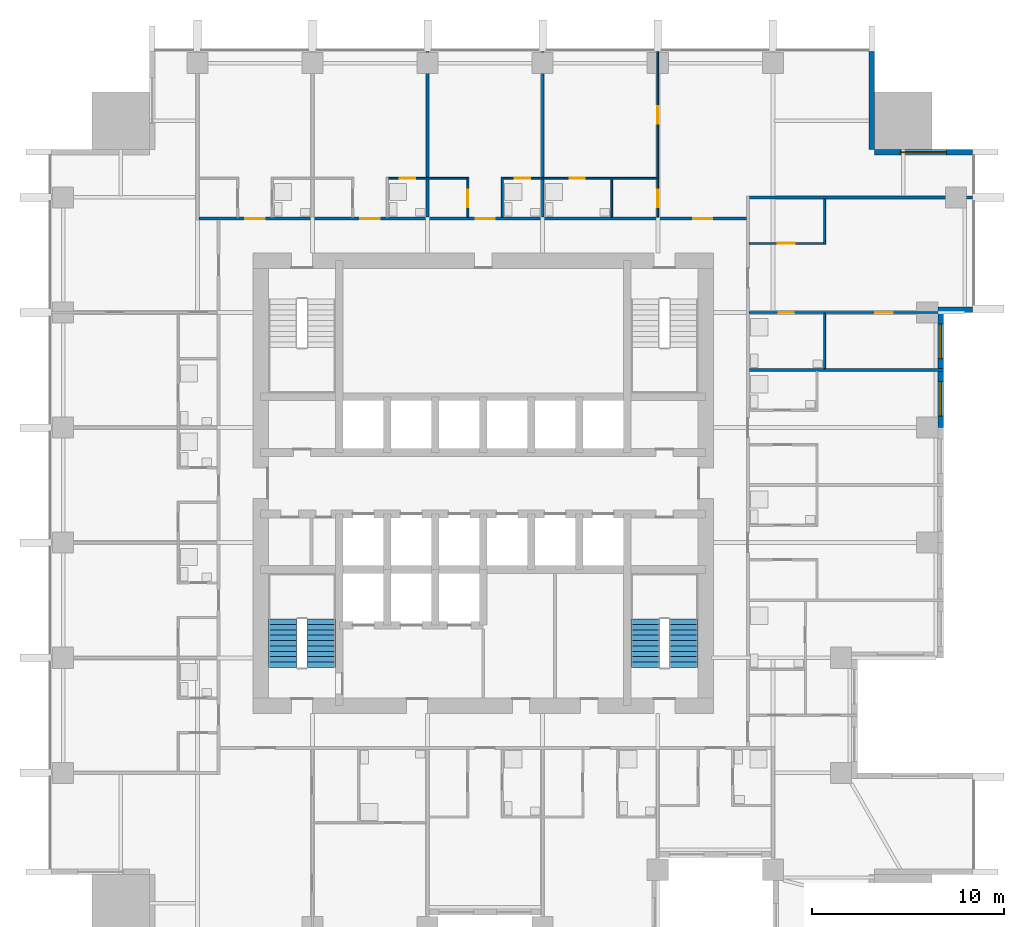
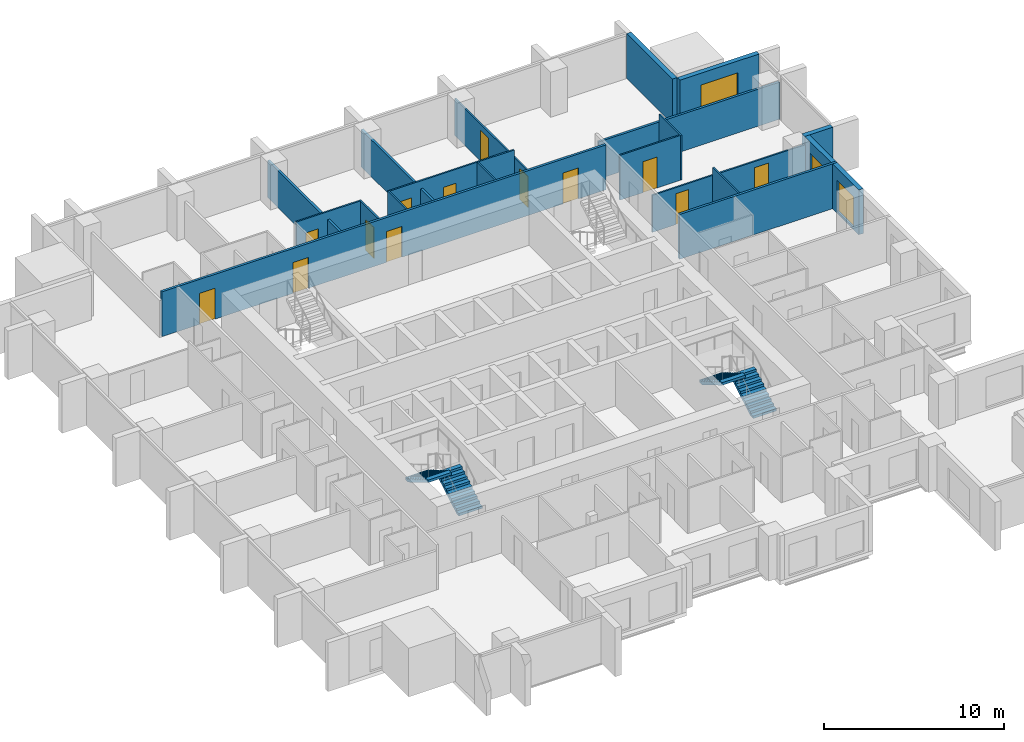
# One storey, part 8 of 11: 19 walls, 13 doors, 4 stair flights, 3 windows, 16 openings, 2 elements without a shape of their own.
"""IFC4 building model written with IfcOpenShell, lengths in metres."""

from ifc_helpers import new_model, si_unit, direction, frame, frame_2d, origin, place, context, subcontext, project, spatial, polyline, rectangle, outline, extrude, material, layer, layer_set, type_object, element, fill, aggregate, save


model = new_model("IFC4")

# Units and contexts
model_context = context("Model", 3, precision=1e-05, world=origin(), true_north=direction((0.0, 1.0)))
body_context = subcontext(model_context, "Body", "Model", "MODEL_VIEW")
ifc_project = project(units=[si_unit("LENGTHUNIT", "METRE"), si_unit("AREAUNIT", "SQUARE_METRE"), si_unit("VOLUMEUNIT", "CUBIC_METRE"), si_unit("PLANEANGLEUNIT", "RADIAN"), si_unit("MASSUNIT", "GRAM", prefix="KILO")], contexts=[model_context])

# Site, building, storey
site_placement = place(None, origin())
site = spatial("IfcSite", under=ifc_project, at=site_placement, CompositionType="ELEMENT")
building_placement = place(site_placement, origin())
building = spatial("IfcBuilding", under=site, at=building_placement, Name="Amberfall Residences", CompositionType="ELEMENT")
storey_placement = place(building_placement, frame((0.0, 0.0, 91.89990234375)))
storey = spatial("IfcBuildingStorey", under=building, at=storey_placement, Name="L24", CompositionType="ELEMENT", Elevation=91.89990234375)

# Wall
ifc_material_1 = material(Name="Pale stone cladding on insulated backing", Category="masonry")
ifc_layer_1 = layer(ifc_material_1, 0.300048828125)
ifc_layer_set_1 = layer_set([ifc_layer_1], Name="Bronze clad wall 300")
wall_type_1 = type_object("IfcWallType", Name="Bronze clad wall 300", PredefinedType="SOLIDWALL", material=ifc_layer_set_1)
wall_1_placement = place(storey_placement, frame((98.199951171875, 54.550048828125, 0.0), z_axis=(0.0, 0.0, 1.0), x_axis=(1.0, 0.0, 0.0)))
element("IfcWall", 1, at=wall_1_placement, inside=storey, type_object=wall_type_1, Name="External wall L24 E", PredefinedType="SOLIDWALL", context=body_context, shape_type="SweptSolid", body=[
    extrude(rectangle(XDim=1.800048828125, YDim=0.300048828125, at=frame_2d((0.89990234375, 0.0))), origin(), (0.0, 0.0, 1.0), 3.050048828125),
])

# Wall, opening, window
wall_2_placement = place(storey_placement, frame((100.0, 62.75, 0.0), z_axis=(0.0, 0.0, 1.0), x_axis=(-1.0, 0.0, 0.0)))
wall_2 = element("IfcWall", 2, at=wall_2_placement, inside=storey, type_object=wall_type_1, Name="External wall L24 NE", PredefinedType="SOLIDWALL", context=body_context, shape_type="SweptSolid", body=[
    extrude(rectangle(XDim=5.10009765625, YDim=0.300048828125, at=frame_2d((2.550048828125, 0.0))), origin(), (0.0, 0.0, 1.0), 3.050048828125),
])
opening_1_placement = place(wall_2_placement, frame((1.35009765625, 0.0, 0.14990234375)))
opening_1 = element("IfcOpeningElement", 3, at=opening_1_placement, cuts=wall_2, Name="Opening WN5", PredefinedType="OPENING", context=body_context, shape_type="SweptSolid", body=[
    extrude(rectangle(XDim=2.39990234375, YDim=2.10009765625, at=frame_2d((1.199951171875, 1.050048828125))), frame((0.0, 0.159912109375, 0.0), z_axis=(0.0, -1.0, 0.0), x_axis=(1.0, 0.0, 0.0)), (0.0, 0.0, 1.0), 0.320068359375),
])
ifc_material_2 = material(Name="Bronze aluminium framed glazing", Category="aluminium")
window_type_1 = type_object("IfcWindowType", Name="Glazed opening 2400 x 2100 bronze", PartitioningType="DOUBLE_PANEL_VERTICAL", PredefinedType="WINDOW", material=ifc_material_2)
window_1_placement = place(opening_1_placement, origin())
window_1 = element("IfcWindow", 4, at=window_1_placement, inside=storey, type_object=window_type_1, Name="Window L24 NE", OverallHeight=2.10009765625, OverallWidth=2.39990234375, PartitioningType="DOUBLE_PANEL_VERTICAL", PredefinedType="WINDOW", context=body_context, shape_type="SweptSolid", body=[
    extrude(rectangle(XDim=2.39990234375, YDim=2.10009765625, at=frame_2d((1.199951171875, 1.050048828125))), frame((0.0, 0.030029296875, 0.0), z_axis=(0.0, -1.0, 0.0), x_axis=(1.0, 0.0, 0.0)), (0.0, 0.0, 1.0), 0.06005859375),
])
fill(opening_1, window_1)

# Wall
wall_3_placement = place(storey_placement, frame((94.75, 62.89990234375, 0.0), z_axis=(0.0, 0.0, 1.0), x_axis=(0.0, 1.0, 0.0)))
element("IfcWall", 5, at=wall_3_placement, inside=storey, type_object=wall_type_1, Name="External wall L24 NE", PredefinedType="SOLIDWALL", context=body_context, shape_type="SweptSolid", body=[
    extrude(rectangle(XDim=5.10009765625, YDim=0.300048828125, at=frame_2d((2.550048828125, 0.0))), origin(), (0.0, 0.0, 1.0), 3.050048828125),
])

# Wall, openings, windows
wall_4_placement = place(storey_placement, frame((98.35009765625, 48.39990234375, 0.0), z_axis=(0.0, 0.0, 1.0), x_axis=(0.0, 1.0, 0.0)))
wall_4 = element("IfcWall", 6, at=wall_4_placement, inside=storey, type_object=wall_type_1, Name="Stone wall L24 E", PredefinedType="SOLIDWALL", context=body_context, shape_type="SweptSolid", body=[
    extrude(rectangle(XDim=6.0, YDim=0.300048828125, at=frame_2d((3.0, 0.0))), origin(), (0.0, 0.0, 1.0), 3.050048828125),
])
opening_2_placement = place(wall_4_placement, frame((0.60009765625, 0.0, 0.14990234375)))
opening_2 = element("IfcOpeningElement", 7, at=opening_2_placement, cuts=wall_4, Name="Opening WN6", PredefinedType="OPENING", context=body_context, shape_type="SweptSolid", body=[
    extrude(rectangle(XDim=1.800048828125, YDim=2.10009765625, at=frame_2d((0.89990234375, 1.050048828125))), frame((0.0, 0.159912109375, 0.0), z_axis=(0.0, -1.0, 0.0), x_axis=(1.0, 0.0, 0.0)), (0.0, 0.0, 1.0), 0.320068359375),
])
opening_3_placement = place(wall_4_placement, frame((3.60009765625, 0.0, 0.14990234375)))
opening_3 = element("IfcOpeningElement", 8, at=opening_3_placement, cuts=wall_4, Name="Opening WN6", PredefinedType="OPENING", context=body_context, shape_type="SweptSolid", body=[
    extrude(rectangle(XDim=1.800048828125, YDim=2.10009765625, at=frame_2d((0.89990234375, 1.050048828125))), frame((0.0, 0.159912109375, 0.0), z_axis=(0.0, -1.0, 0.0), x_axis=(1.0, 0.0, 0.0)), (0.0, 0.0, 1.0), 0.320068359375),
])
window_type_2 = type_object("IfcWindowType", Name="Glazed opening 1800 x 2100 bronze", PartitioningType="DOUBLE_PANEL_VERTICAL", PredefinedType="WINDOW", material=ifc_material_2)
window_2_placement = place(opening_2_placement, origin())
window_2 = element("IfcWindow", 9, at=window_2_placement, inside=storey, type_object=window_type_2, Name="Window L24 E", OverallHeight=2.10009765625, OverallWidth=1.800048828125, PartitioningType="DOUBLE_PANEL_VERTICAL", PredefinedType="WINDOW", context=body_context, shape_type="SweptSolid", body=[
    extrude(rectangle(XDim=1.800048828125, YDim=2.10009765625, at=frame_2d((0.89990234375, 1.050048828125))), frame((0.0, 0.030029296875, 0.0), z_axis=(0.0, -1.0, 0.0), x_axis=(1.0, 0.0, 0.0)), (0.0, 0.0, 1.0), 0.06005859375),
])
fill(opening_2, window_2)
window_3_placement = place(opening_3_placement, origin())
window_3 = element("IfcWindow", 10, at=window_3_placement, inside=storey, type_object=window_type_2, Name="Window L24 E", OverallHeight=2.10009765625, OverallWidth=1.800048828125, PartitioningType="DOUBLE_PANEL_VERTICAL", PredefinedType="WINDOW", context=body_context, shape_type="SweptSolid", body=[
    extrude(rectangle(XDim=1.800048828125, YDim=2.10009765625, at=frame_2d((0.89990234375, 1.050048828125))), frame((0.0, 0.030029296875, 0.0), z_axis=(0.0, -1.0, 0.0), x_axis=(1.0, 0.0, 0.0)), (0.0, 0.0, 1.0), 0.06005859375),
])
fill(opening_3, window_3)

# Wall, opening, door
ifc_material_3 = material(Name="Gypsum board on metal stud")
ifc_layer_2 = layer(ifc_material_3, 0.10009765625)
ifc_layer_set_2 = layer_set([ifc_layer_2], Name="Flat partition 100")
wall_type_2 = type_object("IfcWallType", Name="Flat partition 100", PredefinedType="PARTITIONING", material=ifc_layer_set_2)
wall_5_placement = place(storey_placement, frame((73.699951171875, 59.375, 0.0), z_axis=(0.0, 0.0, 1.0), x_axis=(0.0, 1.0, 0.0)))
wall_5 = element("IfcWall", 11, at=wall_5_placement, inside=storey, type_object=wall_type_2, Name="Partition 012", PredefinedType="PARTITIONING", context=body_context, shape_type="SweptSolid", body=[
    extrude(rectangle(XDim=2.074951171875, YDim=0.10009765625, at=frame_2d((1.03759765625, 0.0))), origin(), (0.0, 0.0, 1.0), 3.050048828125),
])
opening_4_placement = place(wall_5_placement, frame((0.52490234375, 0.0, 0.0)))
opening_4 = element("IfcOpeningElement", 12, at=opening_4_placement, cuts=wall_5, Name="Opening D41", PredefinedType="OPENING", context=body_context, shape_type="SweptSolid", body=[
    extrude(rectangle(XDim=0.89990234375, YDim=2.10009765625, at=frame_2d((0.449951171875, 1.050048828125))), frame((0.0, 0.06005859375, 0.0), z_axis=(0.0, -1.0, 0.0), x_axis=(1.0, 0.0, 0.0)), (0.0, 0.0, 1.0), 0.1201171875),
])
ifc_material_4 = material(Name="Timber", Category="wood")
door_type_1 = type_object("IfcDoorType", Name="Internal door 900 x 2100", OperationType="SINGLE_SWING_LEFT", PredefinedType="DOOR", material=ifc_material_4)
door_1_placement = place(opening_4_placement, origin())
door_1 = element("IfcDoor", 13, at=door_1_placement, inside=storey, type_object=door_type_1, Name="Door 2411 kitchen", OperationType="SINGLE_SWING_LEFT", OverallHeight=2.10009765625, OverallWidth=0.89990234375, PredefinedType="DOOR", context=body_context, shape_type="SweptSolid", body=[
    extrude(rectangle(XDim=0.89990234375, YDim=2.10009765625, at=frame_2d((0.449951171875, 1.050048828125))), frame((0.0, 0.02490234375, 0.0), z_axis=(0.0, -1.0, 0.0), x_axis=(1.0, 0.0, 0.0)), (0.0, 0.0, 1.0), 0.050048828125),
])
fill(opening_4, door_1)

# Walls
wall_6_placement = place(storey_placement, frame((75.5, 59.375, 0.0), z_axis=(0.0, 0.0, 1.0), x_axis=(0.0, 1.0, 0.0)))
element("IfcWall", 14, at=wall_6_placement, inside=storey, type_object=wall_type_2, Name="Partition 014", PredefinedType="PARTITIONING", context=body_context, shape_type="SweptSolid", body=[
    extrude(rectangle(XDim=2.074951171875, YDim=0.10009765625, at=frame_2d((1.03759765625, 0.0))), origin(), (0.0, 0.0, 1.0), 3.050048828125),
])
wall_7_placement = place(storey_placement, frame((81.199951171875, 59.375, 0.0), z_axis=(0.0, 0.0, 1.0), x_axis=(0.0, 1.0, 0.0)))
element("IfcWall", 15, at=wall_7_placement, inside=storey, type_object=wall_type_2, Name="Partition 016", PredefinedType="PARTITIONING", context=body_context, shape_type="SweptSolid", body=[
    extrude(rectangle(XDim=1.97509765625, YDim=0.10009765625, at=frame_2d((0.987548828125, 0.0))), origin(), (0.0, 0.0, 1.0), 3.050048828125),
])

# Wall, openings, doors
wall_8_placement = place(storey_placement, frame((83.60009765625, 59.375, 0.0), z_axis=(0.0, 0.0, 1.0), x_axis=(0.0, 1.0, 0.0)))
wall_8 = element("IfcWall", 16, at=wall_8_placement, inside=storey, type_object=wall_type_2, Name="Partition 018", PredefinedType="PARTITIONING", context=body_context, shape_type="SweptSolid", body=[
    extrude(rectangle(XDim=8.625, YDim=0.10009765625, at=frame_2d((4.3125, 0.0))), origin(), (0.0, 0.0, 1.0), 2.51611328125),
])
opening_5_placement = place(wall_8_placement, frame((0.52490234375, 0.0, 0.0)))
opening_5 = element("IfcOpeningElement", 17, at=opening_5_placement, cuts=wall_8, Name="Opening D41", PredefinedType="OPENING", context=body_context, shape_type="SweptSolid", body=[
    extrude(rectangle(XDim=0.89990234375, YDim=2.10009765625, at=frame_2d((0.449951171875, 1.050048828125))), frame((0.0, 0.06005859375, 0.0), z_axis=(0.0, -1.0, 0.0), x_axis=(1.0, 0.0, 0.0)), (0.0, 0.0, 1.0), 0.1201171875),
])
opening_6_placement = place(wall_8_placement, frame((4.875, 0.0, 0.0)))
opening_6 = element("IfcOpeningElement", 18, at=opening_6_placement, cuts=wall_8, Name="Opening D41", PredefinedType="OPENING", context=body_context, shape_type="SweptSolid", body=[
    extrude(rectangle(XDim=0.89990234375, YDim=2.10009765625, at=frame_2d((0.449951171875, 1.050048828125))), frame((0.0, 0.06005859375, 0.0), z_axis=(0.0, -1.0, 0.0), x_axis=(1.0, 0.0, 0.0)), (0.0, 0.0, 1.0), 0.1201171875),
])
door_2_placement = place(opening_5_placement, origin())
door_2 = element("IfcDoor", 19, at=door_2_placement, inside=storey, type_object=door_type_1, Name="Door 2412 kitchen", OperationType="SINGLE_SWING_LEFT", OverallHeight=2.10009765625, OverallWidth=0.89990234375, PredefinedType="DOOR", context=body_context, shape_type="SweptSolid", body=[
    extrude(rectangle(XDim=0.89990234375, YDim=2.10009765625, at=frame_2d((0.449951171875, 1.050048828125))), frame((0.0, 0.02490234375, 0.0), z_axis=(0.0, -1.0, 0.0), x_axis=(1.0, 0.0, 0.0)), (0.0, 0.0, 1.0), 0.050048828125),
])
fill(opening_5, door_2)
door_3_placement = place(opening_6_placement, origin())
door_3 = element("IfcDoor", 20, at=door_3_placement, inside=storey, type_object=door_type_1, Name="Door 2412 bedroom1", OperationType="SINGLE_SWING_LEFT", OverallHeight=2.10009765625, OverallWidth=0.89990234375, PredefinedType="DOOR", context=body_context, shape_type="SweptSolid", body=[
    extrude(rectangle(XDim=0.89990234375, YDim=2.10009765625, at=frame_2d((0.449951171875, 1.050048828125))), frame((0.0, 0.02490234375, 0.0), z_axis=(0.0, -1.0, 0.0), x_axis=(1.0, 0.0, 0.0)), (0.0, 0.0, 1.0), 0.050048828125),
])
fill(opening_6, door_3)

# Walls
wall_9_placement = place(storey_placement, frame((92.300048828125, 51.47509765625, 0.0), z_axis=(0.0, 0.0, 1.0), x_axis=(0.0, 1.0, 0.0)))
element("IfcWall", 21, at=wall_9_placement, inside=storey, type_object=wall_type_2, Name="Partition 025", PredefinedType="PARTITIONING", context=body_context, shape_type="SweptSolid", body=[
    extrude(rectangle(XDim=2.875, YDim=0.10009765625, at=frame_2d((1.4375, 0.0))), origin(), (0.0, 0.0, 1.0), 3.050048828125),
])
wall_10_placement = place(storey_placement, frame((92.300048828125, 57.949951171875, 0.0), z_axis=(0.0, 0.0, 1.0), x_axis=(0.0, 1.0, 0.0)))
element("IfcWall", 22, at=wall_10_placement, inside=storey, type_object=wall_type_2, Name="Partition 026", PredefinedType="PARTITIONING", context=body_context, shape_type="SweptSolid", body=[
    extrude(rectangle(XDim=2.375, YDim=0.10009765625, at=frame_2d((1.1875, 0.0))), origin(), (0.0, 0.0, 1.0), 3.050048828125),
])

# Wall, opening, door
wall_11_placement = place(storey_placement, frame((73.64990234375, 61.39990234375, 0.0), z_axis=(0.0, 0.0, 1.0), x_axis=(-1.0, 0.0, 0.0)))
wall_11 = element("IfcWall", 23, at=wall_11_placement, inside=storey, type_object=wall_type_2, Name="Partition 029", PredefinedType="PARTITIONING", context=body_context, shape_type="SweptSolid", body=[
    extrude(rectangle(XDim=4.099853515625, YDim=0.10009765625, at=frame_2d((2.0498046875, 0.0))), origin(), (0.0, 0.0, 1.0), 3.050048828125),
])
opening_7_placement = place(wall_11_placement, frame((2.699951171875, 0.0, 0.0)))
opening_7 = element("IfcOpeningElement", 24, at=opening_7_placement, cuts=wall_11, Name="Opening D42", PredefinedType="OPENING", context=body_context, shape_type="SweptSolid", body=[
    extrude(rectangle(XDim=0.800048828125, YDim=2.10009765625, at=frame_2d((0.39990234375, 1.050048828125))), frame((0.0, 0.06005859375, 0.0), z_axis=(0.0, -1.0, 0.0), x_axis=(1.0, 0.0, 0.0)), (0.0, 0.0, 1.0), 0.1201171875),
])
door_type_2 = type_object("IfcDoorType", Name="Bathroom door 800 x 2100", OperationType="SINGLE_SWING_LEFT", PredefinedType="DOOR", material=ifc_material_4)
door_4_placement = place(opening_7_placement, origin())
door_4 = element("IfcDoor", 25, at=door_4_placement, inside=storey, type_object=door_type_2, Name="Door 2410 bath1", OperationType="SINGLE_SWING_LEFT", OverallHeight=2.10009765625, OverallWidth=0.800048828125, PredefinedType="DOOR", context=body_context, shape_type="SweptSolid", body=[
    extrude(rectangle(XDim=0.800048828125, YDim=2.10009765625, at=frame_2d((0.39990234375, 1.050048828125))), frame((0.0, 0.02490234375, 0.0), z_axis=(0.0, -1.0, 0.0), x_axis=(1.0, 0.0, 0.0)), (0.0, 0.0, 1.0), 0.050048828125),
])
fill(opening_7, door_4)

# Wall, openings, doors
wall_12_placement = place(storey_placement, frame((83.550048828125, 61.39990234375, 0.0), z_axis=(0.0, 0.0, 1.0), x_axis=(-1.0, 0.0, 0.0)))
wall_12 = element("IfcWall", 26, at=wall_12_placement, inside=storey, type_object=wall_type_2, Name="Partition 030", PredefinedType="PARTITIONING", context=body_context, shape_type="SweptSolid", body=[
    extrude(rectangle(XDim=8.0, YDim=0.10009765625, at=frame_2d((4.0, 0.0))), origin(), (0.0, 0.0, 1.0), 3.050048828125),
])
opening_8_placement = place(wall_12_placement, frame((6.60009765625, 0.0, 0.0)))
opening_8 = element("IfcOpeningElement", 27, at=opening_8_placement, cuts=wall_12, Name="Opening D42", PredefinedType="OPENING", context=body_context, shape_type="SweptSolid", body=[
    extrude(rectangle(XDim=0.800048828125, YDim=2.10009765625, at=frame_2d((0.39990234375, 1.050048828125))), frame((0.0, 0.06005859375, 0.0), z_axis=(0.0, -1.0, 0.0), x_axis=(1.0, 0.0, 0.0)), (0.0, 0.0, 1.0), 0.1201171875),
])
opening_9_placement = place(wall_12_placement, frame((3.75, 0.0, 0.0)))
opening_9 = element("IfcOpeningElement", 28, at=opening_9_placement, cuts=wall_12, Name="Opening D42", PredefinedType="OPENING", context=body_context, shape_type="SweptSolid", body=[
    extrude(rectangle(XDim=0.800048828125, YDim=2.10009765625, at=frame_2d((0.39990234375, 1.050048828125))), frame((0.0, 0.06005859375, 0.0), z_axis=(0.0, -1.0, 0.0), x_axis=(1.0, 0.0, 0.0)), (0.0, 0.0, 1.0), 0.1201171875),
])
door_5_placement = place(opening_8_placement, origin())
door_5 = element("IfcDoor", 29, at=door_5_placement, inside=storey, type_object=door_type_2, Name="Door 2411 bath1", OperationType="SINGLE_SWING_LEFT", OverallHeight=2.10009765625, OverallWidth=0.800048828125, PredefinedType="DOOR", context=body_context, shape_type="SweptSolid", body=[
    extrude(rectangle(XDim=0.800048828125, YDim=2.10009765625, at=frame_2d((0.39990234375, 1.050048828125))), frame((0.0, 0.02490234375, 0.0), z_axis=(0.0, -1.0, 0.0), x_axis=(1.0, 0.0, 0.0)), (0.0, 0.0, 1.0), 0.050048828125),
])
fill(opening_8, door_5)
door_6_placement = place(opening_9_placement, origin())
door_6 = element("IfcDoor", 30, at=door_6_placement, inside=storey, type_object=door_type_2, Name="Door 2412 bath1", OperationType="SINGLE_SWING_LEFT", OverallHeight=2.10009765625, OverallWidth=0.800048828125, PredefinedType="DOOR", context=body_context, shape_type="SweptSolid", body=[
    extrude(rectangle(XDim=0.800048828125, YDim=2.10009765625, at=frame_2d((0.39990234375, 1.050048828125))), frame((0.0, 0.02490234375, 0.0), z_axis=(0.0, -1.0, 0.0), x_axis=(1.0, 0.0, 0.0)), (0.0, 0.0, 1.0), 0.050048828125),
])
fill(opening_9, door_6)

# Wall, opening, door
wall_13_placement = place(storey_placement, frame((88.375, 58.0, 0.0), z_axis=(0.0, 0.0, 1.0), x_axis=(1.0, 0.0, 0.0)))
wall_13 = element("IfcWall", 31, at=wall_13_placement, inside=storey, type_object=wall_type_2, Name="Partition 031", PredefinedType="PARTITIONING", context=body_context, shape_type="SweptSolid", body=[
    extrude(rectangle(XDim=3.875, YDim=0.10009765625, at=frame_2d((1.9375, 0.0))), origin(), (0.0, 0.0, 1.0), 3.050048828125),
])
opening_10_placement = place(wall_13_placement, frame((1.47509765625, 0.0, 0.0)))
opening_10 = element("IfcOpeningElement", 32, at=opening_10_placement, cuts=wall_13, Name="Opening D41", PredefinedType="OPENING", context=body_context, shape_type="SweptSolid", body=[
    extrude(rectangle(XDim=0.89990234375, YDim=2.10009765625, at=frame_2d((0.449951171875, 1.050048828125))), frame((0.0, 0.06005859375, 0.0), z_axis=(0.0, -1.0, 0.0), x_axis=(1.0, 0.0, 0.0)), (0.0, 0.0, 1.0), 0.1201171875),
])
door_7_placement = place(opening_10_placement, origin())
door_7 = element("IfcDoor", 33, at=door_7_placement, inside=storey, type_object=door_type_1, Name="Door 2408 kitchen", OperationType="SINGLE_SWING_LEFT", OverallHeight=2.10009765625, OverallWidth=0.89990234375, PredefinedType="DOOR", context=body_context, shape_type="SweptSolid", body=[
    extrude(rectangle(XDim=0.89990234375, YDim=2.10009765625, at=frame_2d((0.449951171875, 1.050048828125))), frame((0.0, 0.02490234375, 0.0), z_axis=(0.0, -1.0, 0.0), x_axis=(1.0, 0.0, 0.0)), (0.0, 0.0, 1.0), 0.050048828125),
])
fill(opening_10, door_7)

# Wall, openings, doors
wall_14_placement = place(storey_placement, frame((98.5, 54.39990234375, 0.0), z_axis=(0.0, 0.0, 1.0), x_axis=(-1.0, 0.0, 0.0)))
wall_14 = element("IfcWall", 34, at=wall_14_placement, inside=storey, type_object=wall_type_2, Name="Partition 033", PredefinedType="PARTITIONING", context=body_context, shape_type="SweptSolid", body=[
    extrude(rectangle(XDim=10.125, YDim=0.10009765625, at=frame_2d((5.0625, 0.0))), origin(), (0.0, 0.0, 1.0), 2.51611328125),
])
opening_11_placement = place(wall_14_placement, frame((2.64990234375, 0.0, 0.0)))
opening_11 = element("IfcOpeningElement", 35, at=opening_11_placement, cuts=wall_14, Name="Opening D41", PredefinedType="OPENING", context=body_context, shape_type="SweptSolid", body=[
    extrude(rectangle(XDim=0.89990234375, YDim=2.10009765625, at=frame_2d((0.449951171875, 1.050048828125))), frame((0.0, 0.06005859375, 0.0), z_axis=(0.0, -1.0, 0.0), x_axis=(1.0, 0.0, 0.0)), (0.0, 0.0, 1.0), 0.1201171875),
])
opening_12_placement = place(wall_14_placement, frame((7.800048828125, 0.0, 0.0)))
opening_12 = element("IfcOpeningElement", 36, at=opening_12_placement, cuts=wall_14, Name="Opening D42", PredefinedType="OPENING", context=body_context, shape_type="SweptSolid", body=[
    extrude(rectangle(XDim=0.800048828125, YDim=2.10009765625, at=frame_2d((0.39990234375, 1.050048828125))), frame((0.0, 0.06005859375, 0.0), z_axis=(0.0, -1.0, 0.0), x_axis=(1.0, 0.0, 0.0)), (0.0, 0.0, 1.0), 0.1201171875),
])
door_8_placement = place(opening_12_placement, origin())
door_8 = element("IfcDoor", 37, at=door_8_placement, inside=storey, type_object=door_type_2, Name="Door 2408 bath1", OperationType="SINGLE_SWING_LEFT", OverallHeight=2.10009765625, OverallWidth=0.800048828125, PredefinedType="DOOR", context=body_context, shape_type="SweptSolid", body=[
    extrude(rectangle(XDim=0.800048828125, YDim=2.10009765625, at=frame_2d((0.39990234375, 1.050048828125))), frame((0.0, 0.02490234375, 0.0), z_axis=(0.0, -1.0, 0.0), x_axis=(1.0, 0.0, 0.0)), (0.0, 0.0, 1.0), 0.050048828125),
])
fill(opening_12, door_8)
door_9_placement = place(opening_11_placement, origin())
door_9 = element("IfcDoor", 38, at=door_9_placement, inside=storey, type_object=door_type_1, Name="Door 2408 bedroom1", OperationType="SINGLE_SWING_LEFT", OverallHeight=2.10009765625, OverallWidth=0.89990234375, PredefinedType="DOOR", context=body_context, shape_type="SweptSolid", body=[
    extrude(rectangle(XDim=0.89990234375, YDim=2.10009765625, at=frame_2d((0.449951171875, 1.050048828125))), frame((0.0, 0.02490234375, 0.0), z_axis=(0.0, -1.0, 0.0), x_axis=(1.0, 0.0, 0.0)), (0.0, 0.0, 1.0), 0.050048828125),
])
fill(opening_11, door_9)

# Walls
ifc_material_5 = material(Name="Blockwork, plastered", Category="masonry")
ifc_layer_3 = layer(ifc_material_5, 0.14990234375)
ifc_layer_set_3 = layer_set([ifc_layer_3], Name="Flat separating wall 150")
wall_type_3 = type_object("IfcWallType", Name="Flat separating wall 150", PredefinedType="PARTITIONING", material=ifc_layer_set_3)
for number, where, z_axis, x_axis, name in (
    (39, (71.60009765625, 59.375, 0.0), (0.0, 0.0, 1.0), (0.0, 1.0, 0.0), "Separating wall 057"),
    (40, (77.60009765625, 59.375, 0.0), (0.0, 0.0, 1.0), (0.0, 1.0, 0.0), "Separating wall 059"),
):
    element("IfcWall", number, at=place(storey_placement, frame(where, z_axis=z_axis, x_axis=x_axis)), inside=storey, type_object=wall_type_3, Name=name, PredefinedType="PARTITIONING", context=body_context, shape_type="SweptSolid", body=[
        extrude(rectangle(XDim=8.625, YDim=0.14990234375, at=frame_2d((4.3125, 0.0))), origin(), (0.0, 0.0, 1.0), 2.51611328125),
    ])
wall_15_placement = place(storey_placement, frame((88.375, 60.39990234375, 0.0), z_axis=(0.0, 0.0, 1.0), x_axis=(1.0, 0.0, 0.0)))
element("IfcWall", 41, at=wall_15_placement, inside=storey, type_object=wall_type_3, Name="Separating wall 063", PredefinedType="PARTITIONING", context=body_context, shape_type="SweptSolid", body=[
    extrude(rectangle(XDim=11.625, YDim=0.14990234375, at=frame_2d((5.8125, 0.0))), origin(), (0.0, 0.0, 1.0), 2.51611328125),
])

# Wall, openings, doors
wall_16_placement = place(storey_placement, frame((59.675048828125, 59.300048828125, 0.0), z_axis=(0.0, 0.0, 1.0), x_axis=(1.0, 0.0, 0.0)))
wall_16 = element("IfcWall", 42, at=wall_16_placement, inside=storey, type_object=wall_type_3, Name="Separating wall 064", PredefinedType="PARTITIONING", context=body_context, shape_type="SweptSolid", body=[
    extrude(rectangle(XDim=28.550048828125, YDim=0.14990234375, at=frame_2d((14.27490234375, 0.0))), origin(), (0.0, 0.0, 1.0), 3.050048828125),
])
opening_13_placement = place(wall_16_placement, frame((2.425048828125, 0.0, 0.0)))
opening_13 = element("IfcOpeningElement", 43, at=opening_13_placement, cuts=wall_16, Name="Opening D40", PredefinedType="OPENING", context=body_context, shape_type="SweptSolid", body=[
    extrude(rectangle(XDim=1.0, YDim=2.10009765625, at=frame_2d((0.5, 1.050048828125))), frame((0.0, 0.0849609375, 0.0), z_axis=(0.0, -1.0, 0.0), x_axis=(1.0, 0.0, 0.0)), (0.0, 0.0, 1.0), 0.169921875),
])
opening_14_placement = place(wall_16_placement, frame((8.425048828125, 0.0, 0.0)))
opening_14 = element("IfcOpeningElement", 44, at=opening_14_placement, cuts=wall_16, Name="Opening D40", PredefinedType="OPENING", context=body_context, shape_type="SweptSolid", body=[
    extrude(rectangle(XDim=1.0, YDim=2.10009765625, at=frame_2d((0.5, 1.050048828125))), frame((0.0, 0.0849609375, 0.0), z_axis=(0.0, -1.0, 0.0), x_axis=(1.0, 0.0, 0.0)), (0.0, 0.0, 1.0), 0.169921875),
])
opening_15_placement = place(wall_16_placement, frame((14.425048828125, 0.0, 0.0)))
opening_15 = element("IfcOpeningElement", 45, at=opening_15_placement, cuts=wall_16, Name="Opening D40", PredefinedType="OPENING", context=body_context, shape_type="SweptSolid", body=[
    extrude(rectangle(XDim=1.0, YDim=2.10009765625, at=frame_2d((0.5, 1.050048828125))), frame((0.0, 0.0849609375, 0.0), z_axis=(0.0, -1.0, 0.0), x_axis=(1.0, 0.0, 0.0)), (0.0, 0.0, 1.0), 0.169921875),
])
opening_16_placement = place(wall_16_placement, frame((25.77490234375, 0.0, 0.0)))
opening_16 = element("IfcOpeningElement", 46, at=opening_16_placement, cuts=wall_16, Name="Opening D40", PredefinedType="OPENING", context=body_context, shape_type="SweptSolid", body=[
    extrude(rectangle(XDim=1.0, YDim=2.10009765625, at=frame_2d((0.5, 1.050048828125))), frame((0.0, 0.0849609375, 0.0), z_axis=(0.0, -1.0, 0.0), x_axis=(1.0, 0.0, 0.0)), (0.0, 0.0, 1.0), 0.169921875),
])
ifc_material_6 = material(Name="Timber, fire-rated", Category="wood")
door_type_3 = type_object("IfcDoorType", Name="Flat entrance door FD60 1000 x 2100", OperationType="SINGLE_SWING_LEFT", PredefinedType="DOOR", material=ifc_material_6)
door_10_placement = place(opening_13_placement, origin())
door_10 = element("IfcDoor", 47, at=door_10_placement, inside=storey, type_object=door_type_3, Name="Door 2409 entrance", OperationType="SINGLE_SWING_LEFT", OverallHeight=2.10009765625, OverallWidth=1.0, PredefinedType="DOOR", context=body_context, shape_type="SweptSolid", body=[
    extrude(rectangle(XDim=1.0, YDim=2.10009765625, at=frame_2d((0.5, 1.050048828125))), frame((0.0, 0.02490234375, 0.0), z_axis=(0.0, -1.0, 0.0), x_axis=(1.0, 0.0, 0.0)), (0.0, 0.0, 1.0), 0.050048828125),
])
fill(opening_13, door_10)
door_11_placement = place(opening_14_placement, origin())
door_11 = element("IfcDoor", 48, at=door_11_placement, inside=storey, type_object=door_type_3, Name="Door 2410 entrance", OperationType="SINGLE_SWING_LEFT", OverallHeight=2.10009765625, OverallWidth=1.0, PredefinedType="DOOR", context=body_context, shape_type="SweptSolid", body=[
    extrude(rectangle(XDim=1.0, YDim=2.10009765625, at=frame_2d((0.5, 1.050048828125))), frame((0.0, 0.02490234375, 0.0), z_axis=(0.0, -1.0, 0.0), x_axis=(1.0, 0.0, 0.0)), (0.0, 0.0, 1.0), 0.050048828125),
])
fill(opening_14, door_11)
door_12_placement = place(opening_15_placement, origin())
door_12 = element("IfcDoor", 49, at=door_12_placement, inside=storey, type_object=door_type_3, Name="Door 2411 entrance", OperationType="SINGLE_SWING_LEFT", OverallHeight=2.10009765625, OverallWidth=1.0, PredefinedType="DOOR", context=body_context, shape_type="SweptSolid", body=[
    extrude(rectangle(XDim=1.0, YDim=2.10009765625, at=frame_2d((0.5, 1.050048828125))), frame((0.0, 0.02490234375, 0.0), z_axis=(0.0, -1.0, 0.0), x_axis=(1.0, 0.0, 0.0)), (0.0, 0.0, 1.0), 0.050048828125),
])
fill(opening_15, door_12)
door_13_placement = place(opening_16_placement, origin())
door_13 = element("IfcDoor", 50, at=door_13_placement, inside=storey, type_object=door_type_3, Name="Door 2412 entrance", OperationType="SINGLE_SWING_LEFT", OverallHeight=2.10009765625, OverallWidth=1.0, PredefinedType="DOOR", context=body_context, shape_type="SweptSolid", body=[
    extrude(rectangle(XDim=1.0, YDim=2.10009765625, at=frame_2d((0.5, 1.050048828125))), frame((0.0, 0.02490234375, 0.0), z_axis=(0.0, -1.0, 0.0), x_axis=(1.0, 0.0, 0.0)), (0.0, 0.0, 1.0), 0.050048828125),
])
fill(opening_16, door_13)

# Wall
wall_17_placement = place(storey_placement, frame((88.375, 51.39990234375, 0.0), z_axis=(0.0, 0.0, 1.0), x_axis=(1.0, 0.0, 0.0)))
element("IfcWall", 51, at=wall_17_placement, inside=storey, type_object=wall_type_3, Name="Separating wall 065", PredefinedType="PARTITIONING", context=body_context, shape_type="SweptSolid", body=[
    extrude(rectangle(XDim=10.125, YDim=0.14990234375, at=frame_2d((5.0625, 0.0))), origin(), (0.0, 0.0, 1.0), 3.050048828125),
])

# Stair, stair flights
ifc_material_7 = material(Name="Concrete C40", Category="concrete")
stair_type = type_object("IfcStairType", Name="Exit stair 20 risers 165.0 mm", PredefinedType="HALF_TURN_STAIR", material=ifc_material_7)
stair_1_placement = place(storey_placement, origin())
stair_1 = element("IfcStair", 52, at=stair_1_placement, inside=storey, type_object=stair_type, Name="L24 Exit stair 1", PredefinedType="HALF_TURN_STAIR")
stair_flight_type = type_object("IfcStairFlightType", Name="Stair flight 10 risers 165.0 mm", PredefinedType="STRAIGHT", material=ifc_material_7)
stair_flight_1_placement = place(storey_placement, frame((66.050048828125, 35.89990234375, 0.0), z_axis=(0.0, 0.0, 1.0), x_axis=(0.0, 1.0, 0.0)))
stair_flight_1 = element("IfcStairFlight", 53, at=stair_flight_1_placement, type_object=stair_flight_type, Name="ST3 flight 1", NumberOfRisers=10, NumberOfTreads=9, PredefinedType="STRAIGHT", RiserHeight=0.165, TreadLength=0.28, context=body_context, shape_type="SweptSolid", body=[
    extrude(outline(polyline([(0.0, 0.0), (0.0, 0.1650390625), (0.280029296875, 0.1650390625), (0.280029296875, 0.330078125), (0.56005859375, 0.330078125), (0.56005859375, 0.4951171875), (0.840087890625, 0.4951171875), (0.840087890625, 0.659912109375), (1.1201171875, 0.659912109375), (1.1201171875, 0.824951171875), (1.39990234375, 0.824951171875), (1.39990234375, 0.989990234375), (1.679931640625, 0.989990234375), (1.679931640625, 1.155029296875), (1.9599609375, 1.155029296875), (1.9599609375, 1.320068359375), (2.239990234375, 1.320068359375), (2.239990234375, 1.485107421875), (2.52001953125, 1.485107421875), (2.52001953125, 1.64990234375), (2.52001953125, 1.31103515625), (0.295166015625, 0.0), (0.0, 0.0)])), frame((0.0, 0.75, 0.0), z_axis=(0.0, -1.0, 0.0), x_axis=(1.0, 0.0, 0.0)), (0.0, 0.0, 1.0), 1.5),
])
stair_flight_2_placement = place(storey_placement, frame((64.050048828125, 38.419921875, 1.650146484375), z_axis=(0.0, 0.0, 1.0), x_axis=(0.0, -1.0, 0.0)))
stair_flight_2 = element("IfcStairFlight", 54, at=stair_flight_2_placement, type_object=stair_flight_type, Name="ST3 flight 2", NumberOfRisers=10, NumberOfTreads=9, PredefinedType="STRAIGHT", RiserHeight=0.165, TreadLength=0.28, context=body_context, shape_type="SweptSolid", body=[
    extrude(outline(polyline([(0.0, 0.0), (0.0, 0.1650390625), (0.280029296875, 0.1650390625), (0.280029296875, 0.330078125), (0.56005859375, 0.330078125), (0.56005859375, 0.4951171875), (0.840087890625, 0.4951171875), (0.840087890625, 0.659912109375), (1.1201171875, 0.659912109375), (1.1201171875, 0.824951171875), (1.39990234375, 0.824951171875), (1.39990234375, 0.989990234375), (1.679931640625, 0.989990234375), (1.679931640625, 1.155029296875), (1.9599609375, 1.155029296875), (1.9599609375, 1.320068359375), (2.239990234375, 1.320068359375), (2.239990234375, 1.485107421875), (2.52001953125, 1.485107421875), (2.52001953125, 1.64990234375), (2.52001953125, 1.31103515625), (0.295166015625, 0.0), (0.0, 0.0)])), frame((0.0, 0.75, 0.0), z_axis=(0.0, -1.0, 0.0), x_axis=(1.0, 0.0, 0.0)), (0.0, 0.0, 1.0), 1.5),
])
aggregate(stair_1, [stair_flight_1, stair_flight_2])

stair_2_placement = place(storey_placement, origin())
stair_2 = element("IfcStair", 55, at=stair_2_placement, inside=storey, type_object=stair_type, Name="L24 Exit stair 2", PredefinedType="HALF_TURN_STAIR")
stair_flight_3_placement = place(storey_placement, frame((84.949951171875, 35.89990234375, 0.0), z_axis=(0.0, 0.0, 1.0), x_axis=(0.0, 1.0, 0.0)))
stair_flight_3 = element("IfcStairFlight", 56, at=stair_flight_3_placement, type_object=stair_flight_type, Name="ST3 flight 1", NumberOfRisers=10, NumberOfTreads=9, PredefinedType="STRAIGHT", RiserHeight=0.165, TreadLength=0.28, context=body_context, shape_type="SweptSolid", body=[
    extrude(outline(polyline([(0.0, 0.0), (0.0, 0.1650390625), (0.280029296875, 0.1650390625), (0.280029296875, 0.330078125), (0.56005859375, 0.330078125), (0.56005859375, 0.4951171875), (0.840087890625, 0.4951171875), (0.840087890625, 0.659912109375), (1.1201171875, 0.659912109375), (1.1201171875, 0.824951171875), (1.39990234375, 0.824951171875), (1.39990234375, 0.989990234375), (1.679931640625, 0.989990234375), (1.679931640625, 1.155029296875), (1.9599609375, 1.155029296875), (1.9599609375, 1.320068359375), (2.239990234375, 1.320068359375), (2.239990234375, 1.485107421875), (2.52001953125, 1.485107421875), (2.52001953125, 1.64990234375), (2.52001953125, 1.31103515625), (0.295166015625, 0.0), (0.0, 0.0)])), frame((0.0, 0.75, 0.0), z_axis=(0.0, -1.0, 0.0), x_axis=(1.0, 0.0, 0.0)), (0.0, 0.0, 1.0), 1.5),
])
stair_flight_4_placement = place(storey_placement, frame((82.949951171875, 38.419921875, 1.650146484375), z_axis=(0.0, 0.0, 1.0), x_axis=(0.0, -1.0, 0.0)))
stair_flight_4 = element("IfcStairFlight", 57, at=stair_flight_4_placement, type_object=stair_flight_type, Name="ST3 flight 2", NumberOfRisers=10, NumberOfTreads=9, PredefinedType="STRAIGHT", RiserHeight=0.165, TreadLength=0.28, context=body_context, shape_type="SweptSolid", body=[
    extrude(outline(polyline([(0.0, 0.0), (0.0, 0.1650390625), (0.280029296875, 0.1650390625), (0.280029296875, 0.330078125), (0.56005859375, 0.330078125), (0.56005859375, 0.4951171875), (0.840087890625, 0.4951171875), (0.840087890625, 0.659912109375), (1.1201171875, 0.659912109375), (1.1201171875, 0.824951171875), (1.39990234375, 0.824951171875), (1.39990234375, 0.989990234375), (1.679931640625, 0.989990234375), (1.679931640625, 1.155029296875), (1.9599609375, 1.155029296875), (1.9599609375, 1.320068359375), (2.239990234375, 1.320068359375), (2.239990234375, 1.485107421875), (2.52001953125, 1.485107421875), (2.52001953125, 1.64990234375), (2.52001953125, 1.31103515625), (0.295166015625, 0.0), (0.0, 0.0)])), frame((0.0, 0.75, 0.0), z_axis=(0.0, -1.0, 0.0), x_axis=(1.0, 0.0, 0.0)), (0.0, 0.0, 1.0), 1.5),
])
aggregate(stair_2, [stair_flight_3, stair_flight_4])

save(model, "model.ifc")
